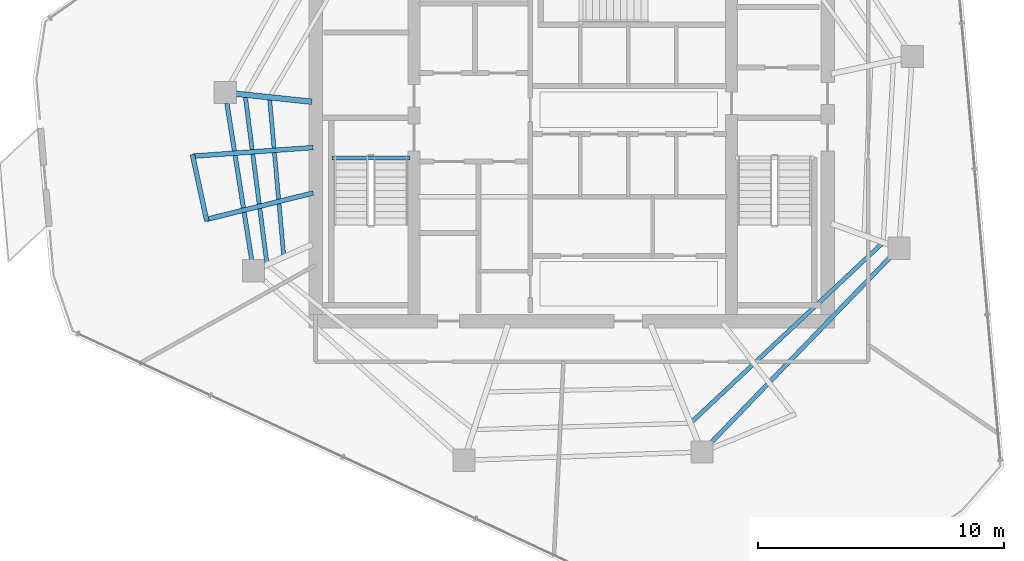
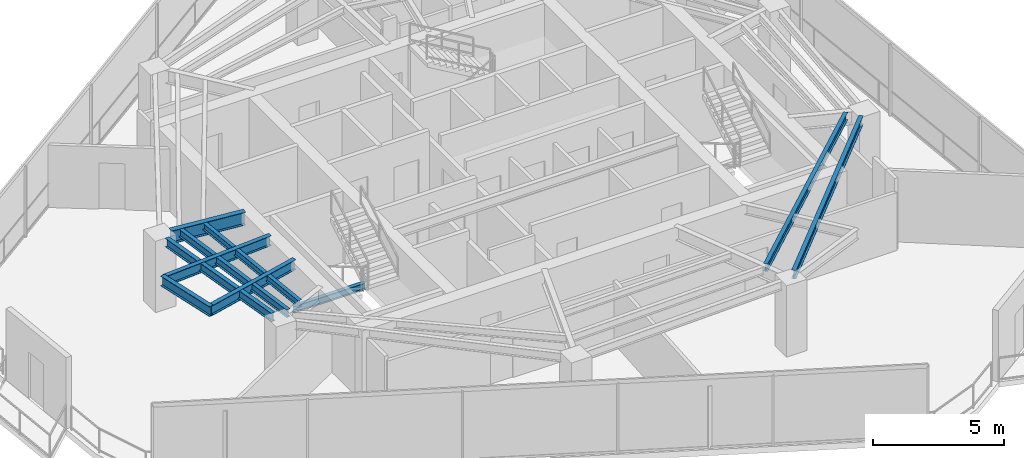
# One storey, part 6 of 20: 10 beams.
"""IFC4 building model written with IfcOpenShell, lengths in metres."""

from ifc_helpers import new_model, si_unit, direction, frame, origin, origin_2d, place, context, subcontext, project, spatial, i_section, extrude, material, material_profile, profile_set, type_object, element, save


model = new_model("IFC4")

# Units and contexts
model_context = context("Model", 3, precision=1e-05, world=origin(), true_north=direction((0.0, 1.0)))
body_context = subcontext(model_context, "Body", "Model", "MODEL_VIEW")
ifc_project = project(units=[si_unit("LENGTHUNIT", "METRE"), si_unit("AREAUNIT", "SQUARE_METRE"), si_unit("VOLUMEUNIT", "CUBIC_METRE"), si_unit("PLANEANGLEUNIT", "RADIAN"), si_unit("MASSUNIT", "GRAM", prefix="KILO")], contexts=[model_context])

# Site, building, storey
site_placement = place(None, origin())
site = spatial("IfcSite", under=ifc_project, at=site_placement, CompositionType="ELEMENT")
building_placement = place(site_placement, origin())
building = spatial("IfcBuilding", under=site, at=building_placement, Name="Qarnah Convention Tower", CompositionType="ELEMENT")
storey_placement = place(building_placement, frame((0.0, 0.0, 198.60009765625)))
storey = spatial("IfcBuildingStorey", under=building, at=storey_placement, Name="L53", CompositionType="ELEMENT", Elevation=198.60009765625)

# Beams
ifc_material = material(Name="Structural steel S355JR", Category="steel")
ifc_material_profile_1 = material_profile(ifc_material, i_section(OverallWidth=0.19189453125, OverallDepth=0.464111328125, WebThickness=0.010986328125, FlangeThickness=0.01806640625, at=origin_2d()), Name="W460X89")
ifc_profile_set_1 = profile_set([ifc_material_profile_1], Name="Structural steel S355JR")
beam_type_1 = type_object("IfcBeamType", Name="BM-CANT-W460A", PredefinedType="BEAM", material=ifc_profile_set_1)
beam_1_placement = place(storey_placement, frame((26.699951171875, 25.64794921875, 3.087890625), z_axis=(-0.997436151804, -0.071562022574, 0.0), x_axis=(0.071562022574, -0.997436151804, 0.0)))
element("IfcBeam", 1, at=beam_1_placement, inside=storey, type_object=beam_type_1, Name="L53 beam BM-L53-CNT-02-1", PredefinedType="BEAM", context=body_context, shape_type="SweptSolid", body=[
    extrude(i_section(OverallWidth=0.19189453125, OverallDepth=0.464111328125, WebThickness=0.010986328125, FlangeThickness=0.01806640625, at=origin_2d()), origin(), (0.0, 0.0, 1.0), 4.90234375),
])
beam_2_placement = place(storey_placement, frame((26.702880859375, 23.802001953125, 3.087890625), z_axis=(-0.970718465503, -0.240220025669, 0.0), x_axis=(0.240220025669, -0.970718465503, 0.0)))
element("IfcBeam", 2, at=beam_2_placement, inside=storey, type_object=beam_type_1, Name="L53 beam BM-L53-CNT-02-2", PredefinedType="BEAM", context=body_context, shape_type="SweptSolid", body=[
    extrude(i_section(OverallWidth=0.19189453125, OverallDepth=0.464111328125, WebThickness=0.010986328125, FlangeThickness=0.01806640625, at=origin_2d()), origin(), (0.0, 0.0, 1.0), 4.466796875),
])
beam_3_placement = place(storey_placement, frame((21.794921875, 25.364990234375, 3.087890625), z_axis=(0.212191546233, -0.977228094002, 0.0), x_axis=(0.977228094002, 0.212191546233, 0.0)))
element("IfcBeam", 3, at=beam_3_placement, inside=storey, type_object=beam_type_1, Name="L53 spandrel BM-L53-CTIE-02", PredefinedType="SPANDREL", context=body_context, shape_type="SweptSolid", body=[
    extrude(i_section(OverallWidth=0.19189453125, OverallDepth=0.464111328125, WebThickness=0.010986328125, FlangeThickness=0.01806640625, at=origin_2d()), origin(), (0.0, 0.0, 1.0), 2.76708984375),
])
ifc_material_profile_2 = material_profile(ifc_material, i_section(OverallWidth=0.166015625, OverallDepth=0.31201171875, WebThickness=0.007080078125, FlangeThickness=0.010986328125, at=origin_2d()), Name="W310X45")
ifc_profile_set_2 = profile_set([ifc_material_profile_2], Name="Structural steel S355JR")
beam_type_2 = type_object("IfcBeamType", Name="BM-JST-W310", PredefinedType="JOIST", material=ifc_profile_set_2)
beam_4_placement = place(storey_placement, frame((27.4599609375, 25.217041015625, -0.156005859375), z_axis=(1.0, 0.0, 0.0), x_axis=(0.0, 1.0, 0.0)))
element("IfcBeam", 4, at=beam_4_placement, inside=storey, type_object=beam_type_2, Name="L53 stair landing trimmer beam BM-L53-ST1-TRM", PredefinedType="BEAM", context=body_context, shape_type="SweptSolid", body=[
    extrude(i_section(OverallWidth=0.166015625, OverallDepth=0.31201171875, WebThickness=0.007080078125, FlangeThickness=0.010986328125, at=origin_2d()), origin(), (0.0, 0.0, 1.0), 3.179931640625),
])
beam_5_placement = place(storey_placement, frame((24.93505859375, 27.60009765625, 3.163818359375), z_axis=(0.089573904604, -0.995980178324, 0.0), x_axis=(0.995980178324, 0.089573904604, 0.0)))
element("IfcBeam", 5, at=beam_5_placement, inside=storey, type_object=beam_type_2, Name="L53 joist BM-L53-IJST-05", PredefinedType="JOIST", context=body_context, shape_type="SweptSolid", body=[
    extrude(i_section(OverallWidth=0.166015625, OverallDepth=0.31201171875, WebThickness=0.007080078125, FlangeThickness=0.010986328125, at=origin_2d()), origin(), (0.0, 0.0, 1.0), 6.339599609375),
])
ifc_material_profile_3 = material_profile(ifc_material, i_section(OverallWidth=0.172119140625, OverallDepth=0.35595703125, WebThickness=0.007080078125, FlangeThickness=0.011962890625, at=origin_2d()), Name="W360X51")
ifc_profile_set_3 = profile_set([ifc_material_profile_3], Name="Structural steel S355JR")
beam_type_3 = type_object("IfcBeamType", Name="BM-JST-W360", PredefinedType="JOIST", material=ifc_profile_set_3)
beam_6_placement = place(storey_placement, frame((23.947998046875, 27.705078125, 3.141845703125), z_axis=(0.128155286171, -0.991754113995, 0.0), x_axis=(0.991754113995, 0.128155286171, 0.0)))
element("IfcBeam", 6, at=beam_6_placement, inside=storey, type_object=beam_type_3, Name="L53 joist BM-L53-SJST-05", PredefinedType="JOIST", context=body_context, shape_type="SweptSolid", body=[
    extrude(i_section(OverallWidth=0.172119140625, OverallDepth=0.35595703125, WebThickness=0.007080078125, FlangeThickness=0.011962890625, at=origin_2d()), origin(), (0.0, 0.0, 1.0), 6.780029296875),
])
beam_7_placement = place(storey_placement, frame((42.093994140625, 14.511962890625, 3.141845703125), z_axis=(0.729569665488, 0.683906501796, 0.0), x_axis=(-0.683906501796, 0.729569665488, 0.0)))
element("IfcBeam", 7, at=beam_7_placement, inside=storey, type_object=beam_type_3, Name="L53 joist BM-L53-SJST-08", PredefinedType="JOIST", context=body_context, shape_type="SweptSolid", body=[
    extrude(i_section(OverallWidth=0.172119140625, OverallDepth=0.35595703125, WebThickness=0.007080078125, FlangeThickness=0.011962890625, at=origin_2d()), origin(), (0.0, 0.0, 1.0), 10.55419921875),
])
ifc_material_profile_4 = material_profile(ifc_material, i_section(OverallWidth=0.22802734375, OverallDepth=0.60791015625, WebThickness=0.010986328125, FlangeThickness=0.01708984375, at=origin_2d()), Name="W610X113")
ifc_profile_set_4 = profile_set([ifc_material_profile_4], Name="Structural steel S355JR")
beam_type_4 = type_object("IfcBeamType", Name="BM-RAD-W610B", PredefinedType="BEAM", material=ifc_profile_set_4)
beam_8_placement = place(storey_placement, frame((26.65087890625, 27.509033203125, 3.015869140625), z_axis=(-0.99453335923, 0.104419334317, 0.0), x_axis=(-0.104419334317, -0.99453335923, 0.0)))
element("IfcBeam", 8, at=beam_8_placement, inside=storey, type_object=beam_type_4, Name="L53 beam BM-L53-RAD-05", PredefinedType="BEAM", context=body_context, shape_type="SweptSolid", body=[
    extrude(i_section(OverallWidth=0.22802734375, OverallDepth=0.60791015625, WebThickness=0.010986328125, FlangeThickness=0.01708984375, at=origin_2d()), origin(), (0.0, 0.0, 1.0), 3.112060546875),
])
ifc_material_profile_5 = material_profile(ifc_material, i_section(OverallWidth=0.179931640625, OverallDepth=0.39990234375, WebThickness=0.009033203125, FlangeThickness=0.013916015625, at=origin_2d()), Name="IPE400")
ifc_profile_set_5 = profile_set([ifc_material_profile_5], Name="Structural steel S355JR")
beam_type_5 = type_object("IfcBeamType", Name="BM-SPN-IPE400", PredefinedType="SPANDREL", material=ifc_profile_set_5)
beam_9_placement = place(storey_placement, frame((23.197021484375, 27.444091796875, 3.119873046875), z_axis=(0.156301127146, -0.987709450017, 0.0), x_axis=(0.987709450017, 0.156301127146, 0.0)))
element("IfcBeam", 9, at=beam_9_placement, inside=storey, type_object=beam_type_5, Name="L53 spandrel BM-L53-SPN-05", PredefinedType="SPANDREL", context=body_context, shape_type="SweptSolid", body=[
    extrude(i_section(OverallWidth=0.179931640625, OverallDepth=0.39990234375, WebThickness=0.009033203125, FlangeThickness=0.013916015625, at=origin_2d()), origin(), (0.0, 0.0, 1.0), 6.443115234375),
])
beam_10_placement = place(storey_placement, frame((42.806884765625, 13.596923828125, 3.119873046875), z_axis=(0.694676898282, 0.719321907767, 0.0), x_axis=(-0.719321907767, 0.694676898282, 0.0)))
element("IfcBeam", 10, at=beam_10_placement, inside=storey, type_object=beam_type_5, Name="L53 spandrel BM-L53-SPN-08", PredefinedType="SPANDREL", context=body_context, shape_type="SweptSolid", body=[
    extrude(i_section(OverallWidth=0.179931640625, OverallDepth=0.39990234375, WebThickness=0.009033203125, FlangeThickness=0.013916015625, at=origin_2d()), origin(), (0.0, 0.0, 1.0), 10.62939453125),
])

save(model, "model.ifc")
